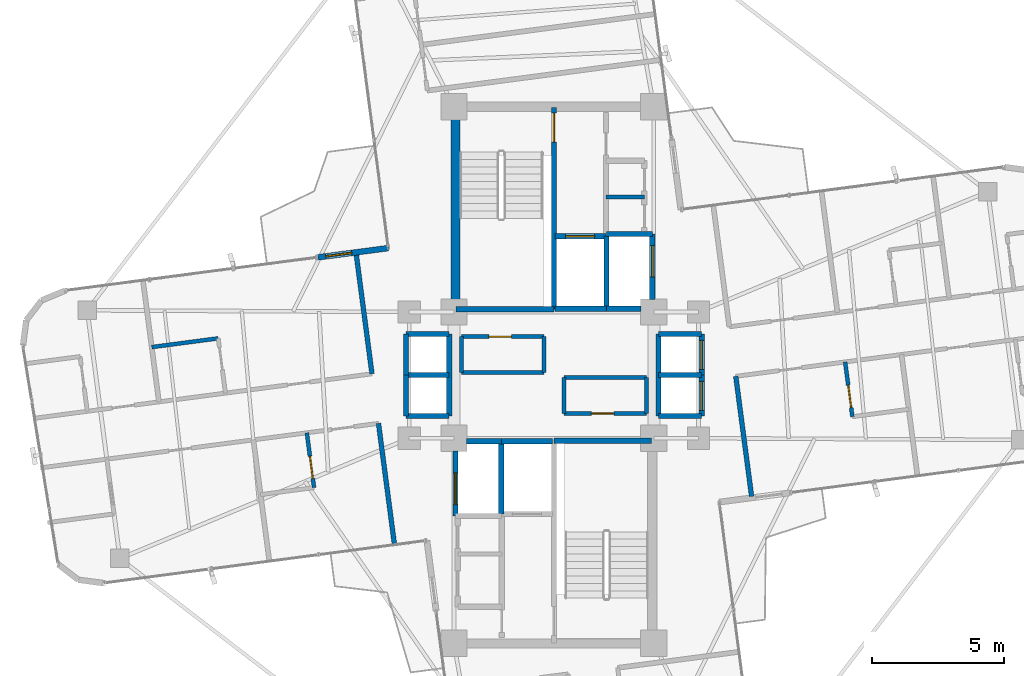
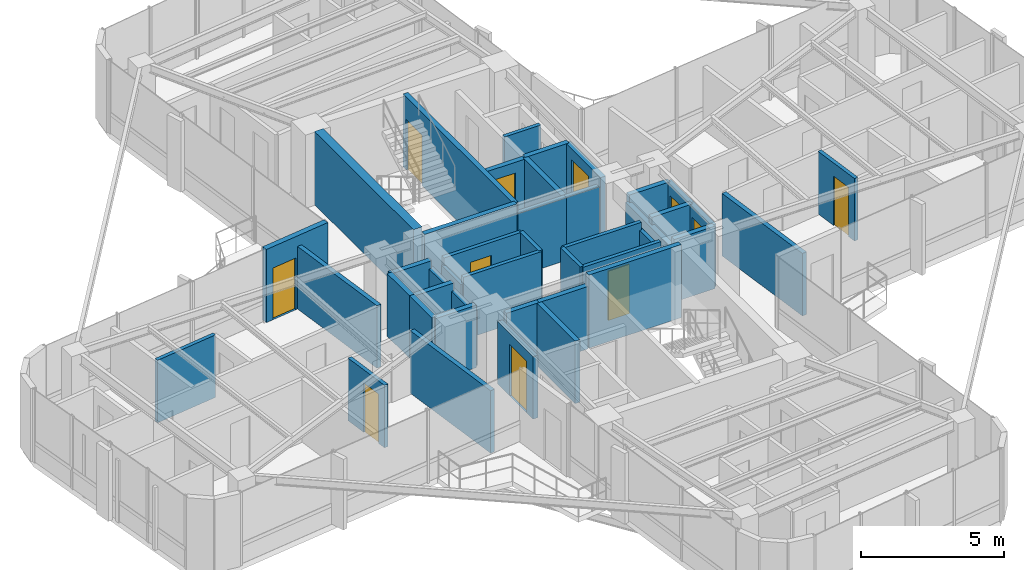
# One storey, part 20 of 23: 42 walls, 11 doors, 11 openings.
"""IFC4 building model written with IfcOpenShell, lengths in metres."""

import ifcopenshell
import ifcopenshell.guid

model = None  # the IFC model being written
_history = None  # IfcOwnerHistory: only IFC2X3 demands one
_inside = {}  # id of a spatial element -> (the spatial element, [elements in it])
_under = {}  # id of a project, library or spatial element -> (it, [spatial elements below it])
_declared = {}  # id of a project -> (the project, [libraries it declares])
_typed = {}  # id of a type object -> (the type object, [elements of that type])
_made_of = {}  # id of a material, layer set ... -> (it, [elements and type objects made of it])


def new_model(schema):
    """Start an empty IFC model of exactly this schema.

    Asked for "IFC4X3", IfcOpenShell would pick the latest addendum, in which some entities
    have other attributes; the version numbers below select the first issue.
    IFC2X3 requires an IfcOwnerHistory on every rooted entity: one is made here for all.
    """
    global model, _history
    if schema == "IFC4X3":
        model = ifcopenshell.file(schema_version=(4, 3, 0, 0))
    else:
        model = ifcopenshell.file(schema=schema)
    _inside.clear()
    _under.clear()
    _declared.clear()
    _typed.clear()
    _made_of.clear()
    _history = None
    if model.schema == "IFC2X3":
        org = make("IfcOrganization", Name="unknown")
        user = make(
            "IfcPersonAndOrganization",
            ThePerson=make("IfcPerson", FamilyName="unknown"),
            TheOrganization=org,
        )
        app = make(
            "IfcApplication",
            ApplicationDeveloper=org,
            Version="unknown",
            ApplicationFullName="unknown",
            ApplicationIdentifier="unknown",
        )
        _history = make(
            "IfcOwnerHistory",
            OwningUser=user,
            OwningApplication=app,
            ChangeAction="ADDED",
            CreationDate=0,
        )
    return model


def make(cls, **values):
    """One entity of the class cls with the attributes given. An attribute that is None is left unset."""
    return model.create_entity(
        cls, **{name: value for name, value in values.items() if value is not None}
    )


def rooted(cls, **values):
    """An entity with a GlobalId (a new one), such as an element, a storey or a relation."""
    return make(cls, GlobalId=ifcopenshell.guid.new(), OwnerHistory=_history, **values)


def si_unit(unit_type, name, prefix=None):
    """IfcSIUnit, for example si_unit("LENGTHUNIT", "METRE", prefix="MILLI")."""
    return make("IfcSIUnit", UnitType=unit_type, Prefix=prefix, Name=name)


def assignment(units):
    """IfcUnitAssignment: the units of a project."""
    return None if units is None else make("IfcUnitAssignment", Units=units)


def point(xyz):
    """IfcCartesianPoint."""
    return None if xyz is None else make("IfcCartesianPoint", Coordinates=xyz)


def direction(xyz):
    """IfcDirection."""
    return None if xyz is None else make("IfcDirection", DirectionRatios=xyz)


def frame(location, z_axis=None, x_axis=None):
    """IfcAxis2Placement3D, a coordinate frame: its origin and axes. An axis left out is left unset."""
    return make(
        "IfcAxis2Placement3D",
        Location=point(location),
        Axis=direction(z_axis),
        RefDirection=direction(x_axis),
    )


def frame_2d(location, x_axis=None):
    """IfcAxis2Placement2D, a coordinate frame in the plane: its origin and x axis."""
    return make(
        "IfcAxis2Placement2D", Location=point(location), RefDirection=direction(x_axis)
    )


def origin():
    """The frame at (0, 0, 0) with its axes left unset."""
    return frame((0.0, 0.0, 0.0))


def origin_2d():
    """The frame at (0, 0) in the plane with its x axis left unset."""
    return frame_2d((0.0, 0.0))


def place(relative_to, where):
    """IfcLocalPlacement: puts the frame where relative to a parent placement (None: the world)."""
    return make(
        "IfcLocalPlacement", PlacementRelTo=relative_to, RelativePlacement=where
    )


def context(
    kind, dimensions, precision=None, world=None, true_north=None, identifier=None
):
    """IfcGeometricRepresentationContext, for example the 3D "Model" context."""
    return make(
        "IfcGeometricRepresentationContext",
        ContextIdentifier=identifier,
        ContextType=kind,
        CoordinateSpaceDimension=dimensions,
        Precision=precision,
        WorldCoordinateSystem=world,
        TrueNorth=true_north,
    )


def subcontext(parent, identifier, kind, view, scale=None):
    """IfcGeometricRepresentationSubContext, for example "Body" below "Model"."""
    return make(
        "IfcGeometricRepresentationSubContext",
        ContextIdentifier=identifier,
        ContextType=kind,
        ParentContext=parent,
        TargetScale=scale,
        TargetView=view,
    )


def project(units=None, contexts=None):
    """IfcProject with its units and contexts."""
    return rooted(
        "IfcProject",
        Name="project",
        RepresentationContexts=contexts,
        UnitsInContext=assignment(units),
    )


def spatial(cls, under=None, at=None, **own):
    """A site, building, storey or space (cls), placed at a placement, below another one or the project."""
    s = rooted(cls, ObjectPlacement=at, **own)
    if under is not None:
        _under.setdefault(under.id(), (under, []))[1].append(s)
    return s


def profile(cls, at=None, kind="AREA", **sizes):
    """A parametric profile (cls). Its sizes go by their IFC names, for example OverallWidth=200.0."""
    return make(cls, ProfileType=kind, Position=at, **sizes)


def rectangle(**sizes):
    """IfcRectangleProfileDef."""
    return profile("IfcRectangleProfileDef", **sizes)


def extrude(swept, where, along, depth):
    """IfcExtrudedAreaSolid: the profile swept, set in the frame where, extruded along a direction by depth."""
    return make(
        "IfcExtrudedAreaSolid",
        SweptArea=swept,
        Position=where,
        ExtrudedDirection=direction(along),
        Depth=depth,
    )


def shape(context_of_items, identifier, shape_type, items):
    """IfcShapeRepresentation: the items that make up one representation, for example the "Body"."""
    return make(
        "IfcShapeRepresentation",
        ContextOfItems=context_of_items,
        RepresentationIdentifier=identifier,
        RepresentationType=shape_type,
        Items=items,
    )


def source(mapping_origin, context_of_items, identifier, shape_type, items):
    """IfcRepresentationMap: a shape defined once, which mapped items show again and again."""
    return make(
        "IfcRepresentationMap",
        MappingOrigin=mapping_origin,
        MappedRepresentation=shape(context_of_items, identifier, shape_type, items),
    )


def transform(
    local_origin,
    x_axis=None,
    y_axis=None,
    z_axis=None,
    scale=None,
    scale2=None,
    scale3=None,
    uniform=True,
):
    """IfcCartesianTransformationOperator3D, or its non-uniform kind. x_axis, y_axis, z_axis: its Axis1, 2, 3."""
    if uniform:
        return make(
            "IfcCartesianTransformationOperator3D",
            Axis1=direction(x_axis),
            Axis2=direction(y_axis),
            LocalOrigin=point(local_origin),
            Scale=scale,
            Axis3=direction(z_axis),
        )
    return make(
        "IfcCartesianTransformationOperator3DnonUniform",
        Axis1=direction(x_axis),
        Axis2=direction(y_axis),
        LocalOrigin=point(local_origin),
        Scale=scale,
        Axis3=direction(z_axis),
        Scale2=scale2,
        Scale3=scale3,
    )


def mapped(mapping_source, mapping_target):
    """IfcMappedItem: shows the shape of a source again, moved by a transform."""
    return make(
        "IfcMappedItem", MappingSource=mapping_source, MappingTarget=mapping_target
    )


def material(Name=None, Category=None):
    """IfcMaterial."""
    return make("IfcMaterial", Name=Name, Category=Category)


def layer(
    of_material, thickness, ventilated=None, Name=None, Category=None, Priority=None
):
    """IfcMaterialLayer: one layer of a wall or slab, of a material (None: an air gap)."""
    return make(
        "IfcMaterialLayer",
        Material=of_material,
        LayerThickness=thickness,
        IsVentilated=ventilated,
        Name=Name,
        Category=Category,
        Priority=Priority,
    )


def layer_set(layers, Name=None):
    """IfcMaterialLayerSet."""
    return make("IfcMaterialLayerSet", MaterialLayers=layers, LayerSetName=Name)


def made_of(thing, what):
    """Note that an element or type object is made of a material, layer set ...; save() writes the relation."""
    if what is not None:
        _made_of.setdefault(what.id(), (what, []))[1].append(thing)
    return thing


def type_object(cls, material=None, **own):
    """A type object (cls), such as IfcWallType, which elements share."""
    return made_of(rooted(cls, **own), material)


def element(
    cls,
    number,
    at=None,
    inside=None,
    cuts=None,
    type_object=None,
    material=None,
    context=None,
    identifier="Body",
    shape_type=None,
    held_by="IfcProductDefinitionShape",
    body=None,
    shapes=None,
    **own,
):
    """One element of the class cls, such as IfcWall. Its Tag is "e" and its number.

    at: its placement. inside: the storey or other place that contains it. cuts: it is an
    opening in that element (IfcRelVoidsElement). A single representation is given by context,
    identifier, shape_type and body (its items); several are given by shapes. held_by: the class
    of the entity that holds the representations. save() writes the other relations.
    """
    e = rooted(cls, Tag="e%d" % number, ObjectPlacement=at, **own)
    if body is not None:
        shapes = [shape(context, identifier, shape_type, body)]
    if shapes is not None:
        e.Representation = make(held_by, Representations=shapes)
    if inside is not None:
        _inside.setdefault(inside.id(), (inside, []))[1].append(e)
    if cuts is not None:
        rooted(
            "IfcRelVoidsElement", RelatingBuildingElement=cuts, RelatedOpeningElement=e
        )
    if type_object is not None:
        _typed.setdefault(type_object.id(), (type_object, []))[1].append(e)
    return made_of(e, material)


def fill(opening, filler):
    """IfcRelFillsElement: the door or window that sits in an opening."""
    return rooted(
        "IfcRelFillsElement",
        RelatingOpeningElement=opening,
        RelatedBuildingElement=filler,
    )


def aggregate(whole, parts):
    """IfcRelAggregates: a whole, such as a stair, and the parts it consists of."""
    return rooted("IfcRelAggregates", RelatingObject=whole, RelatedObjects=parts)


def save(model, path):
    """Write the relations noted so far, then the file.

    IfcRelAggregates (storeys below a building ...), IfcRelContainedInSpatialStructure (elements
    in a storey), IfcRelDefinesByType, IfcRelAssociatesMaterial and IfcRelDeclares: one each for
    every whole, place, type object, material and project.
    """
    for whole, parts in _under.values():
        aggregate(whole, parts)
    for where, things in _inside.values():
        rooted(
            "IfcRelContainedInSpatialStructure",
            RelatedElements=things,
            RelatingStructure=where,
        )
    for kind, things in _typed.values():
        rooted("IfcRelDefinesByType", RelatedObjects=things, RelatingType=kind)
    for what, things in _made_of.values():
        rooted("IfcRelAssociatesMaterial", RelatedObjects=things, RelatingMaterial=what)
    for by, libraries in _declared.values():
        rooted("IfcRelDeclares", RelatingContext=by, RelatedDefinitions=libraries)
    model.write(path)


model = new_model("IFC4")

# Units and contexts
model_context = context("Model", 3, precision=1e-05, world=origin(), true_north=direction((0.0, 1.0)))
body_context = subcontext(model_context, "Body", "Model", "MODEL_VIEW")
ifc_project = project(units=[si_unit("LENGTHUNIT", "METRE"), si_unit("AREAUNIT", "SQUARE_METRE"), si_unit("VOLUMEUNIT", "CUBIC_METRE"), si_unit("PLANEANGLEUNIT", "RADIAN"), si_unit("MASSUNIT", "GRAM", prefix="KILO")], contexts=[model_context])

# Site, building, storey
site_placement = place(None, origin())
site = spatial("IfcSite", under=ifc_project, at=site_placement, CompositionType="ELEMENT")
building_placement = place(site_placement, origin())
building = spatial("IfcBuilding", under=site, at=building_placement, Name="Sahyath Konkavel Grand Hotel", CompositionType="ELEMENT")
storey_placement = place(building_placement, frame((0.0, 0.0, 251.199951171875)))
storey = spatial("IfcBuildingStorey", under=building, at=storey_placement, Name="L70", CompositionType="ELEMENT", Elevation=251.199951171875)

# Wall
ifc_material_1 = material(Name="Concrete C40/50", Category="concrete")
ifc_layer_1 = layer(ifc_material_1, 0.35009765625)
ifc_layer_set_1 = layer_set([ifc_layer_1], Name="Concrete C40/50")
wall_type_1 = type_object("IfcWallType", Name="CWALL-350", PredefinedType="SHEAR", material=ifc_layer_set_1)
wall_1_placement = place(storey_placement, frame((-3.739990234375, 2.85009765625, 0.0), z_axis=(0.0, 0.0, 1.0), x_axis=(0.0, 1.0, 0.0)))
element("IfcWall", 1, at=wall_1_placement, inside=storey, type_object=wall_type_1, Name="L70 North Core Shear Wall W", PredefinedType="SHEAR", context=body_context, shape_type="SweptSolid", body=[
    extrude(rectangle(XDim=6.89990234375, YDim=0.35009765625, at=frame_2d((3.449951171875, 0.0))), origin(), (0.0, 0.0, 1.0), 3.110107421875),
])

# Wall, opening, door
ifc_material_2 = material(Name="Warm Buff Sandstone Insulated Concrete C40/50", Category="masonry")
ifc_layer_2 = layer(ifc_material_2, 0.219970703125)
ifc_layer_set_2 = layer_set([ifc_layer_2], Name="Warm Buff Sandstone Insulated Concrete C40/50")
wall_type_2 = type_object("IfcWallType", Name="WLL-BALC-THRESH", PredefinedType="STANDARD", material=ifc_layer_set_2)
wall_2_placement = place(storey_placement, frame((-6.2919921875, 4.827880859375, 0.0), z_axis=(0.0, 0.0, 1.0), x_axis=(-0.991451525486, -0.130475563272, 0.0)))
wall_2 = element("IfcWall", 2, at=wall_2_placement, inside=storey, type_object=wall_type_2, Name="L70 Winter-Garden Threshold Wall 16", PredefinedType="STANDARD", context=body_context, shape_type="SweptSolid", body=[
    extrude(rectangle(XDim=2.7001953125, YDim=0.219970703125, at=frame_2d((1.35009765625, 0.0))), origin(), (0.0, 0.0, 1.0), 3.110107421875),
])
opening_1_placement = place(wall_2_placement, frame((1.39990234375, 0.0, 0.0)))
opening_1 = element("IfcOpeningElement", 3, at=opening_1_placement, cuts=wall_2, Name="Opening D-TR1", PredefinedType="OPENING", context=body_context, shape_type="SweptSolid", body=[
    extrude(rectangle(XDim=1.0, YDim=2.199951171875, at=frame_2d((0.5, 1.10009765625))), frame((0.0, 0.1201171875, 0.0), z_axis=(0.0, -1.0, 0.0), x_axis=(1.0, 0.0, 0.0)), (0.0, 0.0, 1.0), 0.239990234375),
])
ifc_material_3 = material(Name="Anodised Bronze Aluminium & Low-E Glazing", Category="aluminium")
door_type_1 = type_object("IfcDoorType", Name="DR-TERRACE-1000", OperationType="NOTDEFINED", PredefinedType="DOOR", material=ifc_material_3)
shared_shape_1 = source(origin(), body_context, "Body", "SweptSolid", [
    extrude(rectangle(XDim=1.0, YDim=0.050048828125, at=origin_2d()), origin(), (0.0, 0.0, 1.0), 2.199951171875),
])
door_1_placement = place(opening_1_placement, frame((0.5, 0.0, 0.0)))
door_1 = element("IfcDoor", 4, at=door_1_placement, inside=storey, type_object=door_type_1, Name="L70 Winter-Garden Terrace Door 16", OperationType="SINGLE_SWING_LEFT", OverallHeight=2.199951171875, OverallWidth=1.0, PredefinedType="DOOR", context=body_context, shape_type="MappedRepresentation", body=[
    mapped(shared_shape_1, transform((0.0, 0.0, 0.0), scale=1.0)),
])
fill(opening_1, door_1)

ifc_layer_3 = layer(ifc_material_1, 0.199951171875)
ifc_layer_set_3 = layer_set([ifc_layer_3], Name="Concrete C40/50")
wall_type_3 = type_object("IfcWallType", Name="WLL-CORE-200", PredefinedType="SOLIDWALL", material=ifc_layer_set_3)
wall_3_placement = place(storey_placement, frame((0.0, 2.5, 0.0), z_axis=(0.0, 0.0, 1.0), x_axis=(0.0, 1.0, 0.0)))
wall_3 = element("IfcWall", 5, at=wall_3_placement, inside=storey, type_object=wall_type_3, Name="L70 Stair ST-1 Shaft Wall E", PredefinedType="SOLIDWALL", context=body_context, shape_type="SweptSolid", body=[
    extrude(rectangle(XDim=7.679931640625, YDim=0.199951171875, at=frame_2d((3.83984375, 0.0))), origin(), (0.0, 0.0, 1.0), 3.110107421875),
])
opening_2_placement = place(wall_3_placement, frame((6.360107421875, 0.0, 0.0)))
opening_2 = element("IfcOpeningElement", 6, at=opening_2_placement, cuts=wall_3, Name="Opening D-F12B", PredefinedType="OPENING", context=body_context, shape_type="SweptSolid", body=[
    extrude(rectangle(XDim=1.10009765625, YDim=2.14990234375, at=frame_2d((0.550048828125, 1.074951171875))), frame((0.0, 0.10986328125, 0.0), z_axis=(0.0, -1.0, 0.0), x_axis=(1.0, 0.0, 0.0)), (0.0, 0.0, 1.0), 0.219970703125),
])
ifc_material_4 = material(Name="Steel E350 Smokeproof Fire Door", Category="steel")
door_type_2 = type_object("IfcDoorType", Name="DR-FD120-1100", OperationType="NOTDEFINED", PredefinedType="DOOR", material=ifc_material_4)
shared_shape_2 = source(origin(), body_context, "Body", "SweptSolid", [
    extrude(rectangle(XDim=1.10009765625, YDim=0.050048828125, at=origin_2d()), origin(), (0.0, 0.0, 1.0), 2.14990234375),
])
door_2_placement = place(opening_2_placement, frame((0.550048828125, 0.0, 0.0)))
door_2 = element("IfcDoor", 7, at=door_2_placement, inside=storey, type_object=door_type_2, Name="L70 Stair ST-1 Fire Door", OperationType="SINGLE_SWING_RIGHT", OverallHeight=2.14990234375, OverallWidth=1.10009765625, PredefinedType="DOOR", context=body_context, shape_type="MappedRepresentation", body=[
    mapped(shared_shape_2, transform((0.0, 0.0, 0.0), scale=1.0)),
])
fill(opening_2, door_2)

# Walls
for number, where, z_axis, x_axis, name in (
    (8, (-3.719970703125, 2.5, 0.0), (0.0, 0.0, 1.0), (1.0, 0.0, 0.0), "L70 Stair ST-1 Shaft Wall S"),
    (9, (0.0, -2.5, 0.0), (0.0, 0.0, 1.0), (1.0, 0.0, 0.0), "L70 Stair ST-2 Shaft Wall N"),
):
    element("IfcWall", number, at=place(storey_placement, frame(where, z_axis=z_axis, x_axis=x_axis)), inside=storey, type_object=wall_type_3, Name=name, PredefinedType="SOLIDWALL", context=body_context, shape_type="SweptSolid", body=[
        extrude(rectangle(XDim=3.719970703125, YDim=0.199951171875, at=frame_2d((1.85986328125, 0.0))), origin(), (0.0, 0.0, 1.0), 3.110107421875),
    ])
wall_4_placement = place(storey_placement, frame((2.0, 2.5, 0.0), z_axis=(0.0, 0.0, 1.0), x_axis=(0.0, 1.0, 0.0)))
element("IfcWall", 10, at=wall_4_placement, inside=storey, type_object=wall_type_3, Name="L70 Partition SH-FFL1-E", PredefinedType="SOLIDWALL", context=body_context, shape_type="SweptSolid", body=[
    extrude(rectangle(XDim=2.780029296875, YDim=0.199951171875, at=frame_2d((1.39013671875, 0.0))), origin(), (0.0, 0.0, 1.0), 2.66015625),
])
wall_5_placement = place(storey_placement, frame((0.050048828125, 2.52001953125, 0.0), z_axis=(0.0, 0.0, 1.0), x_axis=(1.0, 0.0, 0.0)))
element("IfcWall", 11, at=wall_5_placement, inside=storey, type_object=wall_type_3, Name="L70 Partition SH-FFL1-S", PredefinedType="SOLIDWALL", context=body_context, shape_type="SweptSolid", body=[
    extrude(rectangle(XDim=1.949951171875, YDim=0.199951171875, at=frame_2d((0.97509765625, 0.0))), origin(), (0.0, 0.0, 1.0), 2.66015625),
])

# Wall, opening, door
wall_6_placement = place(storey_placement, frame((0.050048828125, 5.280029296875, 0.0), z_axis=(0.0, 0.0, 1.0), x_axis=(1.0, 0.0, 0.0)))
wall_6 = element("IfcWall", 12, at=wall_6_placement, inside=storey, type_object=wall_type_3, Name="L70 Partition SH-FFL1-N", PredefinedType="SOLIDWALL", context=body_context, shape_type="SweptSolid", body=[
    extrude(rectangle(XDim=1.929931640625, YDim=0.199951171875, at=frame_2d((0.96484375, 0.0))), origin(), (0.0, 0.0, 1.0), 2.66015625),
])
opening_3_placement = place(wall_6_placement, frame((0.39990234375, 0.0, 0.0)))
opening_3 = element("IfcOpeningElement", 13, at=opening_3_placement, cuts=wall_6, Name="Opening LD-11", PredefinedType="OPENING", context=body_context, shape_type="SweptSolid", body=[
    extrude(rectangle(XDim=1.10009765625, YDim=2.199951171875, at=frame_2d((0.550048828125, 1.10009765625))), frame((0.0, 0.10986328125, 0.0), z_axis=(0.0, -1.0, 0.0), x_axis=(1.0, 0.0, 0.0)), (0.0, 0.0, 1.0), 0.219970703125),
])
ifc_material_5 = material(Name="Bronze Lift Landing Door 1100")
door_type_3 = type_object("IfcDoorType", Name="DR-LIFT-1100", OperationType="DOUBLE_DOOR_SLIDING", PredefinedType="DOOR", material=ifc_material_5)
shared_shape_3 = source(origin(), body_context, "Body", "SweptSolid", [
    extrude(rectangle(XDim=1.10009765625, YDim=0.050048828125, at=origin_2d()), origin(), (0.0, 0.0, 1.0), 2.199951171875),
])
door_3_placement = place(opening_3_placement, frame((0.550048828125, 0.0, 0.0)))
door_3 = element("IfcDoor", 14, at=door_3_placement, inside=storey, type_object=door_type_3, Name="L70 Lift FFL-1 Landing Door", OperationType="DOUBLE_DOOR_SLIDING", OverallHeight=2.199951171875, OverallWidth=1.10009765625, PredefinedType="DOOR", context=body_context, shape_type="MappedRepresentation", body=[
    mapped(shared_shape_3, transform((0.0, 0.0, 0.0), scale=1.0)),
])
fill(opening_3, door_3)

# Walls
wall_7_placement = place(storey_placement, frame((-2.0, -5.280029296875, 0.0), z_axis=(0.0, 0.0, 1.0), x_axis=(0.0, 1.0, 0.0)))
element("IfcWall", 15, at=wall_7_placement, inside=storey, type_object=wall_type_3, Name="L70 Partition SH-FFL2-W", PredefinedType="SOLIDWALL", context=body_context, shape_type="SweptSolid", body=[
    extrude(rectangle(XDim=2.780029296875, YDim=0.199951171875, at=frame_2d((1.39013671875, 0.0))), origin(), (0.0, 0.0, 1.0), 2.66015625),
])
wall_8_placement = place(storey_placement, frame((-2.0, -2.52001953125, 0.0), z_axis=(0.0, 0.0, 1.0), x_axis=(1.0, 0.0, 0.0)))
element("IfcWall", 16, at=wall_8_placement, inside=storey, type_object=wall_type_3, Name="L70 Partition SH-FFL2-N", PredefinedType="SOLIDWALL", context=body_context, shape_type="SweptSolid", body=[
    extrude(rectangle(XDim=1.949951171875, YDim=0.199951171875, at=frame_2d((0.97509765625, 0.0))), origin(), (0.0, 0.0, 1.0), 2.66015625),
])
wall_9_placement = place(storey_placement, frame((2.0, 2.52001953125, 0.0), z_axis=(0.0, 0.0, 1.0), x_axis=(1.0, 0.0, 0.0)))
element("IfcWall", 17, at=wall_9_placement, inside=storey, type_object=wall_type_3, Name="L70 Partition SH-SVL1-S", PredefinedType="SOLIDWALL", context=body_context, shape_type="SweptSolid", body=[
    extrude(rectangle(XDim=1.320068359375, YDim=0.199951171875, at=frame_2d((0.66015625, 0.0))), origin(), (0.0, 0.0, 1.0), 2.66015625),
])
wall_10_placement = place(storey_placement, frame((2.0, 5.360107421875, 0.0), z_axis=(0.0, 0.0, 1.0), x_axis=(1.0, 0.0, 0.0)))
element("IfcWall", 18, at=wall_10_placement, inside=storey, type_object=wall_type_3, Name="L70 Partition SH-SVL1-N", PredefinedType="SOLIDWALL", context=body_context, shape_type="SweptSolid", body=[
    extrude(rectangle(XDim=1.739990234375, YDim=0.199951171875, at=frame_2d((0.8701171875, 0.0))), origin(), (0.0, 0.0, 1.0), 2.66015625),
])

# Wall, opening, door
wall_11_placement = place(storey_placement, frame((3.739990234375, 2.8798828125, 0.0), z_axis=(0.0, 0.0, 1.0), x_axis=(0.0, 1.0, 0.0)))
wall_11 = element("IfcWall", 19, at=wall_11_placement, inside=storey, type_object=wall_type_3, Name="L70 Partition SH-SVL1-E", PredefinedType="SOLIDWALL", context=body_context, shape_type="SweptSolid", body=[
    extrude(rectangle(XDim=2.480224609375, YDim=0.199951171875, at=frame_2d((1.240234375, 0.0))), origin(), (0.0, 0.0, 1.0), 2.66015625),
])
opening_4_placement = place(wall_11_placement, frame((0.840087890625, 0.0, 0.0)))
opening_4 = element("IfcOpeningElement", 20, at=opening_4_placement, cuts=wall_11, Name="Opening LD-12", PredefinedType="OPENING", context=body_context, shape_type="SweptSolid", body=[
    extrude(rectangle(XDim=1.199951171875, YDim=2.199951171875, at=frame_2d((0.60009765625, 1.10009765625))), frame((0.0, 0.10986328125, 0.0), z_axis=(0.0, -1.0, 0.0), x_axis=(1.0, 0.0, 0.0)), (0.0, 0.0, 1.0), 0.219970703125),
])
ifc_material_6 = material(Name="Stainless Steel Lift Landing Door 1200", Category="steel")
door_type_4 = type_object("IfcDoorType", Name="DR-LIFT-1200", OperationType="DOUBLE_DOOR_SLIDING", PredefinedType="DOOR", material=ifc_material_6)
shared_shape_4 = source(origin(), body_context, "Body", "SweptSolid", [
    extrude(rectangle(XDim=1.199951171875, YDim=0.050048828125, at=origin_2d()), origin(), (0.0, 0.0, 1.0), 2.199951171875),
])
door_4_placement = place(opening_4_placement, frame((0.60009765625, 0.0, 0.0)))
door_4 = element("IfcDoor", 21, at=door_4_placement, inside=storey, type_object=door_type_4, Name="L70 Service Lift SVL-1 Landing Door", OperationType="DOUBLE_DOOR_SLIDING", OverallHeight=2.199951171875, OverallWidth=1.199951171875, PredefinedType="DOOR", context=body_context, shape_type="MappedRepresentation", body=[
    mapped(shared_shape_4, transform((0.0, 0.0, 0.0), scale=1.0)),
])
fill(opening_4, door_4)

# Wall
wall_12_placement = place(storey_placement, frame((-3.320068359375, -2.52001953125, 0.0), z_axis=(0.0, 0.0, 1.0), x_axis=(1.0, 0.0, 0.0)))
element("IfcWall", 22, at=wall_12_placement, inside=storey, type_object=wall_type_3, Name="L70 Partition SH-SVL2-N", PredefinedType="SOLIDWALL", context=body_context, shape_type="SweptSolid", body=[
    extrude(rectangle(XDim=1.320068359375, YDim=0.199951171875, at=frame_2d((0.66015625, 0.0))), origin(), (0.0, 0.0, 1.0), 2.66015625),
])

# Wall, opening, door
wall_13_placement = place(storey_placement, frame((-3.739990234375, -5.360107421875, 0.0), z_axis=(0.0, 0.0, 1.0), x_axis=(0.0, 1.0, 0.0)))
wall_13 = element("IfcWall", 23, at=wall_13_placement, inside=storey, type_object=wall_type_3, Name="L70 Partition SH-SVL2-W", PredefinedType="SOLIDWALL", context=body_context, shape_type="SweptSolid", body=[
    extrude(rectangle(XDim=2.480224609375, YDim=0.199951171875, at=frame_2d((1.240234375, 0.0))), origin(), (0.0, 0.0, 1.0), 2.66015625),
])
opening_5_placement = place(wall_13_placement, frame((0.43994140625, 0.0, 0.0)))
opening_5 = element("IfcOpeningElement", 24, at=opening_5_placement, cuts=wall_13, Name="Opening LD-12", PredefinedType="OPENING", context=body_context, shape_type="SweptSolid", body=[
    extrude(rectangle(XDim=1.199951171875, YDim=2.199951171875, at=frame_2d((0.60009765625, 1.10009765625))), frame((0.0, 0.10986328125, 0.0), z_axis=(0.0, -1.0, 0.0), x_axis=(1.0, 0.0, 0.0)), (0.0, 0.0, 1.0), 0.219970703125),
])
door_5_placement = place(opening_5_placement, frame((0.60009765625, 0.0, 0.0)))
door_5 = element("IfcDoor", 25, at=door_5_placement, inside=storey, type_object=door_type_4, Name="L70 Service Lift SVL-2 Landing Door", OperationType="DOUBLE_DOOR_SLIDING", OverallHeight=2.199951171875, OverallWidth=1.199951171875, PredefinedType="DOOR", context=body_context, shape_type="MappedRepresentation", body=[
    mapped(shared_shape_4, transform((0.0, 0.0, 0.0), scale=1.0)),
])
fill(opening_5, door_5)

# Walls
wall_14_placement = place(storey_placement, frame((3.97998046875, -1.56005859375, 0.0), z_axis=(0.0, 0.0, 1.0), x_axis=(0.0, 1.0, 0.0)))
element("IfcWall", 26, at=wall_14_placement, inside=storey, type_object=wall_type_3, Name="L70 Partition SH-PL56-W", PredefinedType="SOLIDWALL", context=body_context, shape_type="SweptSolid", body=[
    extrude(rectangle(XDim=3.1201171875, YDim=0.199951171875, at=frame_2d((1.56005859375, 0.0))), origin(), (0.0, 0.0, 1.0), 2.330078125),
])
for number, where, z_axis, x_axis, name in (
    (27, (3.97998046875, 1.56005859375, 0.0), (0.0, 0.0, 1.0), (1.0, 0.0, 0.0), "L70 Partition SH-PL56-N"),
    (28, (3.97998046875, -1.56005859375, 0.0), (0.0, 0.0, 1.0), (1.0, 0.0, 0.0), "L70 Partition SH-PL56-S"),
    (29, (3.97998046875, 0.0, 0.0), (0.0, 0.0, 1.0), (1.0, 0.0, 0.0), "L70 Partition SH-PL56-M"),
):
    element("IfcWall", number, at=place(storey_placement, frame(where, z_axis=z_axis, x_axis=x_axis)), inside=storey, type_object=wall_type_3, Name=name, PredefinedType="SOLIDWALL", context=body_context, shape_type="SweptSolid", body=[
        extrude(rectangle(XDim=1.64013671875, YDim=0.199951171875, at=frame_2d((0.820068359375, 0.0))), origin(), (0.0, 0.0, 1.0), 2.66015625),
    ])

# Wall, opening, door
wall_15_placement = place(storey_placement, frame((5.6201171875, 0.0, 0.0), z_axis=(0.0, 0.0, 1.0), x_axis=(0.0, 1.0, 0.0)))
wall_15 = element("IfcWall", 30, at=wall_15_placement, inside=storey, type_object=wall_type_3, Name="L70 Partition SH-PL5-E", PredefinedType="SOLIDWALL", context=body_context, shape_type="SweptSolid", body=[
    extrude(rectangle(XDim=1.56005859375, YDim=0.199951171875, at=frame_2d((0.780029296875, 0.0))), origin(), (0.0, 0.0, 1.0), 2.66015625),
])
opening_6_placement = place(wall_15_placement, frame((0.219970703125, 0.0, 0.0)))
opening_6 = element("IfcOpeningElement", 31, at=opening_6_placement, cuts=wall_15, Name="Opening LD-11", PredefinedType="OPENING", context=body_context, shape_type="SweptSolid", body=[
    extrude(rectangle(XDim=1.10009765625, YDim=2.199951171875, at=frame_2d((0.550048828125, 1.10009765625))), frame((0.0, 0.10986328125, 0.0), z_axis=(0.0, -1.0, 0.0), x_axis=(1.0, 0.0, 0.0)), (0.0, 0.0, 1.0), 0.219970703125),
])
door_6_placement = place(opening_6_placement, frame((0.550048828125, 0.0, 0.0)))
door_6 = element("IfcDoor", 32, at=door_6_placement, inside=storey, type_object=door_type_3, Name="L70 High-Rise Lift PL-5 Landing Door", OperationType="DOUBLE_DOOR_SLIDING", OverallHeight=2.199951171875, OverallWidth=1.10009765625, PredefinedType="DOOR", context=body_context, shape_type="MappedRepresentation", body=[
    mapped(shared_shape_3, transform((0.0, 0.0, 0.0), scale=1.0)),
])
fill(opening_6, door_6)

wall_16_placement = place(storey_placement, frame((5.6201171875, -1.56005859375, 0.0), z_axis=(0.0, 0.0, 1.0), x_axis=(0.0, 1.0, 0.0)))
wall_16 = element("IfcWall", 33, at=wall_16_placement, inside=storey, type_object=wall_type_3, Name="L70 Partition SH-PL6-E", PredefinedType="SOLIDWALL", context=body_context, shape_type="SweptSolid", body=[
    extrude(rectangle(XDim=1.56005859375, YDim=0.199951171875, at=frame_2d((0.780029296875, 0.0))), origin(), (0.0, 0.0, 1.0), 2.66015625),
])
opening_7_placement = place(wall_16_placement, frame((0.219970703125, 0.0, 0.0)))
opening_7 = element("IfcOpeningElement", 34, at=opening_7_placement, cuts=wall_16, Name="Opening LD-11", PredefinedType="OPENING", context=body_context, shape_type="SweptSolid", body=[
    extrude(rectangle(XDim=1.10009765625, YDim=2.199951171875, at=frame_2d((0.550048828125, 1.10009765625))), frame((0.0, 0.10986328125, 0.0), z_axis=(0.0, -1.0, 0.0), x_axis=(1.0, 0.0, 0.0)), (0.0, 0.0, 1.0), 0.219970703125),
])
door_7_placement = place(opening_7_placement, frame((0.550048828125, 0.0, 0.0)))
door_7 = element("IfcDoor", 35, at=door_7_placement, inside=storey, type_object=door_type_3, Name="L70 High-Rise Lift PL-6 Landing Door", OperationType="DOUBLE_DOOR_SLIDING", OverallHeight=2.199951171875, OverallWidth=1.10009765625, PredefinedType="DOOR", context=body_context, shape_type="MappedRepresentation", body=[
    mapped(shared_shape_3, transform((0.0, 0.0, 0.0), scale=1.0)),
])
fill(opening_7, door_7)

# Walls
wall_17_placement = place(storey_placement, frame((-3.97998046875, -1.56005859375, 0.0), z_axis=(0.0, 0.0, 1.0), x_axis=(0.0, 1.0, 0.0)))
element("IfcWall", 36, at=wall_17_placement, inside=storey, type_object=wall_type_3, Name="L70 Partition SH-SL12-E", PredefinedType="SOLIDWALL", context=body_context, shape_type="SweptSolid", body=[
    extrude(rectangle(XDim=3.1201171875, YDim=0.199951171875, at=frame_2d((1.56005859375, 0.0))), origin(), (0.0, 0.0, 1.0), 2.330078125),
])
for number, where, z_axis, x_axis, name in (
    (37, (-5.6201171875, 1.56005859375, 0.0), (0.0, 0.0, 1.0), (1.0, 0.0, 0.0), "L70 Partition SH-SL12-N"),
    (38, (-5.6201171875, -1.56005859375, 0.0), (0.0, 0.0, 1.0), (1.0, 0.0, 0.0), "L70 Partition SH-SL12-S"),
    (39, (-5.6201171875, 0.0, 0.0), (0.0, 0.0, 1.0), (1.0, 0.0, 0.0), "L70 Partition SH-SL12-M"),
):
    element("IfcWall", number, at=place(storey_placement, frame(where, z_axis=z_axis, x_axis=x_axis)), inside=storey, type_object=wall_type_3, Name=name, PredefinedType="SOLIDWALL", context=body_context, shape_type="SweptSolid", body=[
        extrude(rectangle(XDim=1.64013671875, YDim=0.199951171875, at=frame_2d((0.820068359375, 0.0))), origin(), (0.0, 0.0, 1.0), 2.66015625),
    ])
for number, where, z_axis, x_axis, name in (
    (40, (-5.6201171875, 0.0, 0.0), (0.0, 0.0, 1.0), (0.0, 1.0, 0.0), "L70 Partition SH-SL1-W"),
    (41, (-5.6201171875, -1.56005859375, 0.0), (0.0, 0.0, 1.0), (0.0, 1.0, 0.0), "L70 Partition SH-SL2-W"),
):
    element("IfcWall", number, at=place(storey_placement, frame(where, z_axis=z_axis, x_axis=x_axis)), inside=storey, type_object=wall_type_3, Name=name, PredefinedType="SOLIDWALL", context=body_context, shape_type="SweptSolid", body=[
        extrude(rectangle(XDim=1.56005859375, YDim=0.199951171875, at=frame_2d((0.780029296875, 0.0))), origin(), (0.0, 0.0, 1.0), 2.66015625),
    ])
ifc_material_7 = material(Name="Twin-Stud Acoustic Gypsum Plasterboard Partition")
ifc_layer_4 = layer(ifc_material_7, 0.179931640625)
ifc_layer_set_4 = layer_set([ifc_layer_4], Name="Twin-Stud Acoustic Gypsum Plasterboard Partition")
wall_type_4 = type_object("IfcWallType", Name="WLL-DEMISE-180", PredefinedType="PARTITIONING", material=ifc_layer_set_4)
wall_18_placement = place(storey_placement, frame((7.516845703125, -4.6162109375, 0.0), z_axis=(0.0, 0.0, 1.0), x_axis=(-0.130553194642, 0.991441306063, 0.0)))
element("IfcWall", 42, at=wall_18_placement, inside=storey, type_object=wall_type_4, Name="L70 Partition E-INR", PredefinedType="PARTITIONING", context=body_context, shape_type="SweptSolid", body=[
    extrude(rectangle(XDim=4.60791015625, YDim=0.179931640625, at=frame_2d((2.303955078125, 0.0))), origin(), (0.0, 0.0, 1.0), 2.66015625),
])
wall_19_placement = place(storey_placement, frame((-6.66748046875, -1.8359375, 0.0), z_axis=(0.0, 0.0, 1.0), x_axis=(0.130546336939, -0.991442209063, 0.0)))
element("IfcWall", 43, at=wall_19_placement, inside=storey, type_object=wall_type_4, Name="L70 Partition W-INL", PredefinedType="PARTITIONING", context=body_context, shape_type="SweptSolid", body=[
    extrude(rectangle(XDim=4.608154296875, YDim=0.179931640625, at=frame_2d((2.30419921875, 0.0))), origin(), (0.0, 0.0, 1.0), 2.66015625),
])
wall_20_placement = place(storey_placement, frame((-7.516845703125, 4.6162109375, 0.0), z_axis=(0.0, 0.0, 1.0), x_axis=(0.130553194642, -0.991441306063, 0.0)))
element("IfcWall", 44, at=wall_20_placement, inside=storey, type_object=wall_type_4, Name="L70 Partition W-INR", PredefinedType="PARTITIONING", context=body_context, shape_type="SweptSolid", body=[
    extrude(rectangle(XDim=4.60791015625, YDim=0.179931640625, at=frame_2d((2.303955078125, 0.0))), origin(), (0.0, 0.0, 1.0), 2.66015625),
])
ifc_material_8 = material(Name="Fire-Rated Gypsum Plasterboard Partition")
ifc_layer_5 = layer(ifc_material_8, 0.14990234375)
ifc_layer_set_5 = layer_set([ifc_layer_5], Name="Fire-Rated Gypsum Plasterboard Partition")
wall_type_5 = type_object("IfcWallType", Name="WLL-PART-150", PredefinedType="PARTITIONING", material=ifc_layer_set_5)
wall_21_placement = place(storey_placement, frame((1.97998046875, 6.77001953125, 0.0), z_axis=(0.0, 0.0, 1.0), x_axis=(1.0, 0.0, 0.0)))
element("IfcWall", 45, at=wall_21_placement, inside=storey, type_object=wall_type_5, Name="L70 Partition NC-REC-M1", PredefinedType="PARTITIONING", context=body_context, shape_type="SweptSolid", body=[
    extrude(rectangle(XDim=1.4599609375, YDim=0.14990234375, at=frame_2d((0.72998046875, 0.0))), origin(), (0.0, 0.0, 1.0), 2.66015625),
])
wall_22_placement = place(storey_placement, frame((-3.52001953125, 0.10009765625, 0.0), z_axis=(0.0, 0.0, 1.0), x_axis=(1.0, 0.0, 0.0)))
element("IfcWall", 46, at=wall_22_placement, inside=storey, type_object=wall_type_5, Name="L70 Partition CC-3NWS", PredefinedType="PARTITIONING", context=body_context, shape_type="SweptSolid", body=[
    extrude(rectangle(XDim=3.14013671875, YDim=0.14990234375, at=frame_2d((1.570068359375, 0.0))), origin(), (0.0, 0.0, 1.0), 2.66015625),
])

# Wall, opening, door
wall_23_placement = place(storey_placement, frame((-3.52001953125, 1.4599609375, 0.0), z_axis=(0.0, 0.0, 1.0), x_axis=(1.0, 0.0, 0.0)))
wall_23 = element("IfcWall", 47, at=wall_23_placement, inside=storey, type_object=wall_type_5, Name="L70 Partition CC-3NWN", PredefinedType="PARTITIONING", context=body_context, shape_type="SweptSolid", body=[
    extrude(rectangle(XDim=3.14013671875, YDim=0.14990234375, at=frame_2d((1.570068359375, 0.0))), origin(), (0.0, 0.0, 1.0), 2.66015625),
])
opening_8_placement = place(wall_23_placement, frame((1.050048828125, 0.0, 0.0)))
opening_8 = element("IfcOpeningElement", 48, at=opening_8_placement, cuts=wall_23, Name="Opening D-F06D", PredefinedType="OPENING", context=body_context, shape_type="SweptSolid", body=[
    extrude(rectangle(XDim=0.85009765625, YDim=2.10009765625, at=frame_2d((0.425048828125, 1.050048828125))), frame((0.0, 0.0849609375, 0.0), z_axis=(0.0, -1.0, 0.0), x_axis=(1.0, 0.0, 0.0)), (0.0, 0.0, 1.0), 0.169921875),
])
ifc_material_9 = material(Name="Fire-Rated Shaft Access Door")
door_type_5 = type_object("IfcDoorType", Name="DR-FD60-850", OperationType="NOTDEFINED", PredefinedType="DOOR", material=ifc_material_9)
shared_shape_5 = source(origin(), body_context, "Body", "SweptSolid", [
    extrude(rectangle(XDim=0.85009765625, YDim=0.050048828125, at=origin_2d()), origin(), (0.0, 0.0, 1.0), 2.10009765625),
])
door_8_placement = place(opening_8_placement, frame((0.425048828125, 0.0, 0.0)))
door_8 = element("IfcDoor", 49, at=door_8_placement, inside=storey, type_object=door_type_5, Name="L70 Door CC-D3NW", OperationType="SINGLE_SWING_RIGHT", OverallHeight=2.10009765625, OverallWidth=0.85009765625, PredefinedType="DOOR", context=body_context, shape_type="MappedRepresentation", body=[
    mapped(shared_shape_5, transform((0.0, 0.0, 0.0), scale=1.0)),
])
fill(opening_8, door_8)

# Walls
wall_24_placement = place(storey_placement, frame((-3.52001953125, 0.10009765625, 0.0), z_axis=(0.0, 0.0, 1.0), x_axis=(0.0, 1.0, 0.0)))
element("IfcWall", 50, at=wall_24_placement, inside=storey, type_object=wall_type_5, Name="L70 Partition CC-3NWW", PredefinedType="PARTITIONING", context=body_context, shape_type="SweptSolid", body=[
    extrude(rectangle(XDim=1.35986328125, YDim=0.14990234375, at=frame_2d((0.679931640625, 0.0))), origin(), (0.0, 0.0, 1.0), 2.330078125),
])
wall_25_placement = place(storey_placement, frame((-0.3798828125, 0.10009765625, 0.0), z_axis=(0.0, 0.0, 1.0), x_axis=(0.0, 1.0, 0.0)))
element("IfcWall", 51, at=wall_25_placement, inside=storey, type_object=wall_type_5, Name="L70 Partition CC-3NWE", PredefinedType="PARTITIONING", context=body_context, shape_type="SweptSolid", body=[
    extrude(rectangle(XDim=1.35986328125, YDim=0.14990234375, at=frame_2d((0.679931640625, 0.0))), origin(), (0.0, 0.0, 1.0), 2.66015625),
])
wall_26_placement = place(storey_placement, frame((0.3798828125, -0.10009765625, 0.0), z_axis=(0.0, 0.0, 1.0), x_axis=(1.0, 0.0, 0.0)))
element("IfcWall", 52, at=wall_26_placement, inside=storey, type_object=wall_type_5, Name="L70 Partition CC-3SEN", PredefinedType="PARTITIONING", context=body_context, shape_type="SweptSolid", body=[
    extrude(rectangle(XDim=3.14013671875, YDim=0.14990234375, at=frame_2d((1.570068359375, 0.0))), origin(), (0.0, 0.0, 1.0), 2.66015625),
])

# Wall, opening, door
wall_27_placement = place(storey_placement, frame((0.3798828125, -1.4599609375, 0.0), z_axis=(0.0, 0.0, 1.0), x_axis=(1.0, 0.0, 0.0)))
wall_27 = element("IfcWall", 53, at=wall_27_placement, inside=storey, type_object=wall_type_5, Name="L70 Partition CC-3SES", PredefinedType="PARTITIONING", context=body_context, shape_type="SweptSolid", body=[
    extrude(rectangle(XDim=3.14013671875, YDim=0.14990234375, at=frame_2d((1.570068359375, 0.0))), origin(), (0.0, 0.0, 1.0), 2.66015625),
])
opening_9_placement = place(wall_27_placement, frame((1.050048828125, 0.0, 0.0)))
opening_9 = element("IfcOpeningElement", 54, at=opening_9_placement, cuts=wall_27, Name="Opening D-F06D", PredefinedType="OPENING", context=body_context, shape_type="SweptSolid", body=[
    extrude(rectangle(XDim=0.85009765625, YDim=2.10009765625, at=frame_2d((0.425048828125, 1.050048828125))), frame((0.0, 0.0849609375, 0.0), z_axis=(0.0, -1.0, 0.0), x_axis=(1.0, 0.0, 0.0)), (0.0, 0.0, 1.0), 0.169921875),
])
door_9_placement = place(opening_9_placement, frame((0.425048828125, 0.0, 0.0)))
door_9 = element("IfcDoor", 55, at=door_9_placement, inside=storey, type_object=door_type_5, Name="L70 Door CC-D3SE", OperationType="SINGLE_SWING_LEFT", OverallHeight=2.10009765625, OverallWidth=0.85009765625, PredefinedType="DOOR", context=body_context, shape_type="MappedRepresentation", body=[
    mapped(shared_shape_5, transform((0.0, 0.0, 0.0), scale=1.0)),
])
fill(opening_9, door_9)

# Walls
wall_28_placement = place(storey_placement, frame((0.3798828125, -1.4599609375, 0.0), z_axis=(0.0, 0.0, 1.0), x_axis=(0.0, 1.0, 0.0)))
element("IfcWall", 56, at=wall_28_placement, inside=storey, type_object=wall_type_5, Name="L70 Partition CC-3SEW", PredefinedType="PARTITIONING", context=body_context, shape_type="SweptSolid", body=[
    extrude(rectangle(XDim=1.35986328125, YDim=0.14990234375, at=frame_2d((0.679931640625, 0.0))), origin(), (0.0, 0.0, 1.0), 2.66015625),
])
wall_29_placement = place(storey_placement, frame((3.52001953125, -1.4599609375, 0.0), z_axis=(0.0, 0.0, 1.0), x_axis=(0.0, 1.0, 0.0)))
element("IfcWall", 57, at=wall_29_placement, inside=storey, type_object=wall_type_5, Name="L70 Partition CC-3SEE", PredefinedType="PARTITIONING", context=body_context, shape_type="SweptSolid", body=[
    extrude(rectangle(XDim=1.35986328125, YDim=0.14990234375, at=frame_2d((0.679931640625, 0.0))), origin(), (0.0, 0.0, 1.0), 2.330078125),
])

# Wall, opening, door
wall_30_placement = place(storey_placement, frame((11.073486328125, 0.499755859375, 0.0), z_axis=(0.0, 0.0, 1.0), x_axis=(0.130541714651, -0.991442817683, 0.0)))
wall_30 = element("IfcWall", 58, at=wall_30_placement, inside=storey, type_object=wall_type_5, Name="L70 Partition E-E1R-BS", PredefinedType="PARTITIONING", context=body_context, shape_type="SweptSolid", body=[
    extrude(rectangle(XDim=2.100341796875, YDim=0.14990234375, at=frame_2d((1.05029296875, 0.0))), origin(), (0.0, 0.0, 1.0), 2.66015625),
])
opening_10_placement = place(wall_30_placement, frame((0.89990234375, 0.0, 0.0)))
opening_10 = element("IfcOpeningElement", 59, at=opening_10_placement, cuts=wall_30, Name="Opening D-BT85", PredefinedType="OPENING", context=body_context, shape_type="SweptSolid", body=[
    extrude(rectangle(XDim=0.85009765625, YDim=2.10009765625, at=frame_2d((0.425048828125, 1.050048828125))), frame((0.0, 0.0849609375, 0.0), z_axis=(0.0, -1.0, 0.0), x_axis=(1.0, 0.0, 0.0)), (0.0, 0.0, 1.0), 0.169921875),
])
ifc_material_10 = material(Name="Moisture-Resistant Teak Bathroom Door")
door_type_6 = type_object("IfcDoorType", Name="DR-BATH-850", OperationType="NOTDEFINED", PredefinedType="DOOR", material=ifc_material_10)
door_10_placement = place(opening_10_placement, frame((0.425048828125, 0.0, 0.0)))
door_10 = element("IfcDoor", 60, at=door_10_placement, inside=storey, type_object=door_type_6, Name="L70 Door E-E1R-BD", OperationType="SINGLE_SWING_LEFT", OverallHeight=2.10009765625, OverallWidth=0.85009765625, PredefinedType="DOOR", context=body_context, shape_type="MappedRepresentation", body=[
    mapped(shared_shape_5, transform((0.0, 0.0, 0.0), scale=1.0)),
])
fill(opening_10, door_10)

wall_31_placement = place(storey_placement, frame((-9.391845703125, -2.194580078125, 0.0), z_axis=(0.0, 0.0, 1.0), x_axis=(0.13044248305, -0.9914558783, 0.0)))
wall_31 = element("IfcWall", 61, at=wall_31_placement, inside=storey, type_object=wall_type_5, Name="L70 Partition W-W1L-BS", PredefinedType="PARTITIONING", context=body_context, shape_type="SweptSolid", body=[
    extrude(rectangle(XDim=2.099853515625, YDim=0.14990234375, at=frame_2d((1.0498046875, 0.0))), origin(), (0.0, 0.0, 1.0), 2.66015625),
])
opening_11_placement = place(wall_31_placement, frame((0.89990234375, 0.0, 0.0)))
opening_11 = element("IfcOpeningElement", 62, at=opening_11_placement, cuts=wall_31, Name="Opening D-BT85", PredefinedType="OPENING", context=body_context, shape_type="SweptSolid", body=[
    extrude(rectangle(XDim=0.85009765625, YDim=2.10009765625, at=frame_2d((0.425048828125, 1.050048828125))), frame((0.0, 0.0849609375, 0.0), z_axis=(0.0, -1.0, 0.0), x_axis=(1.0, 0.0, 0.0)), (0.0, 0.0, 1.0), 0.169921875),
])
door_11_placement = place(opening_11_placement, frame((0.425048828125, 0.0, 0.0)))
door_11 = element("IfcDoor", 63, at=door_11_placement, inside=storey, type_object=door_type_6, Name="L70 Door W-W1L-BD", OperationType="SINGLE_SWING_LEFT", OverallHeight=2.10009765625, OverallWidth=0.85009765625, PredefinedType="DOOR", context=body_context, shape_type="MappedRepresentation", body=[
    mapped(shared_shape_5, transform((0.0, 0.0, 0.0), scale=1.0)),
])
fill(opening_11, door_11)

# Wall
wall_32_placement = place(storey_placement, frame((-12.760498046875, 1.396484375, 0.0), z_axis=(0.0, 0.0, 1.0), x_axis=(-0.99143571012, -0.130595684076, 0.0)))
element("IfcWall", 64, at=wall_32_placement, inside=storey, type_object=wall_type_5, Name="L70 Partition W-W1R-BF", PredefinedType="PARTITIONING", context=body_context, shape_type="SweptSolid", body=[
    extrude(rectangle(XDim=2.5498046875, YDim=0.14990234375, at=frame_2d((1.27490234375, 0.0))), origin(), (0.0, 0.0, 1.0), 2.66015625),
])

save(model, "model.ifc")
